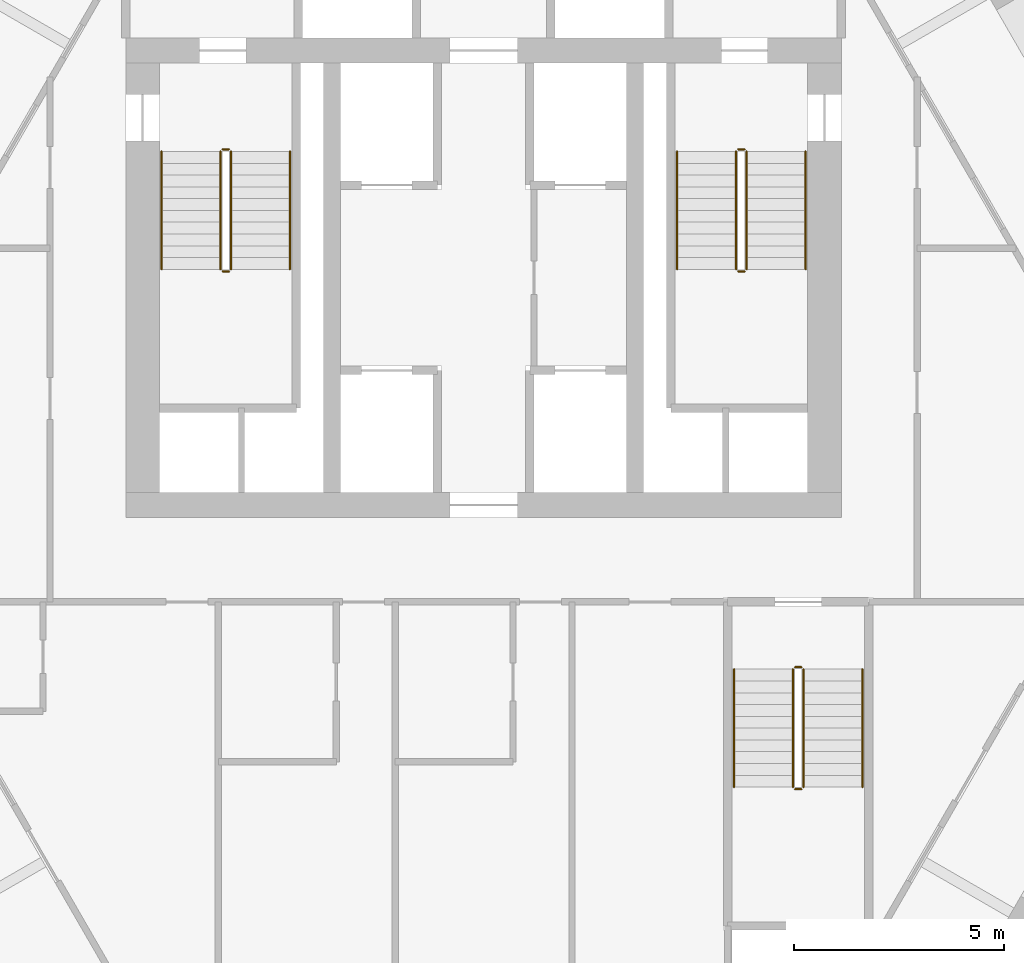
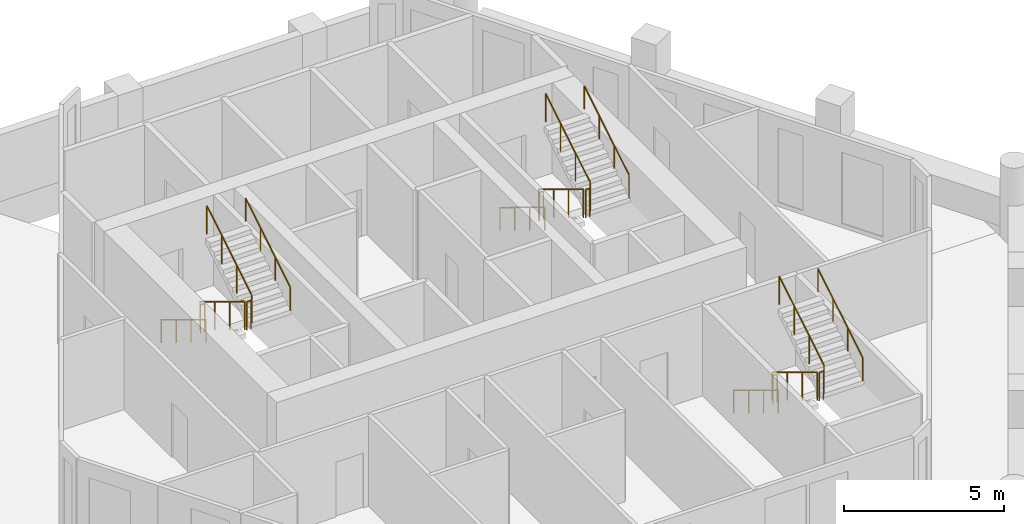
# One storey, part 6 of 6: 18 railings.
"""IFC4 building model written with IfcOpenShell, lengths in metres."""

from ifc_helpers import new_model, si_unit, direction, frame, origin, origin_2d, place, context, subcontext, project, spatial, circle, extrude, material, type_object, element, save


model = new_model("IFC4")

# Units and contexts
model_context = context("Model", 3, precision=1e-05, world=origin(), true_north=direction((0.0, 1.0)))
body_context = subcontext(model_context, "Body", "Model", "MODEL_VIEW")
ifc_project = project(units=[si_unit("LENGTHUNIT", "METRE"), si_unit("AREAUNIT", "SQUARE_METRE"), si_unit("VOLUMEUNIT", "CUBIC_METRE"), si_unit("PLANEANGLEUNIT", "RADIAN"), si_unit("MASSUNIT", "GRAM", prefix="KILO")], contexts=[model_context])

# Site, building, storey
site_placement = place(None, origin())
site = spatial("IfcSite", under=ifc_project, at=site_placement, CompositionType="ELEMENT")
building_placement = place(site_placement, origin())
building = spatial("IfcBuilding", under=site, at=building_placement, Name="Ostrander Bayou Hotel Tower", CompositionType="ELEMENT")
storey_placement = place(building_placement, frame((0.0, 0.0, 248.75)))
storey = spatial("IfcBuildingStorey", under=building, at=storey_placement, Name="L61", CompositionType="ELEMENT", Elevation=248.75)

# Railings
ifc_material_1 = material(Name="Steel ASTM A500 Gr C", Category="steel")
railing_type_1 = type_object("IfcRailingType", Name="GR1 stair guard 1100 mm steel", PredefinedType="GUARDRAIL", material=ifc_material_1)
railing_1_placement = place(storey_placement, frame((-6.25, 7.0, 0.17041015625)))
element("IfcRailing", 1, at=railing_1_placement, inside=storey, type_object=railing_type_1, Name="L61 STA stair guard 1", PredefinedType="GUARDRAIL", context=body_context, shape_type="SweptSolid", body=[
    extrude(circle(Radius=0.02392578125, at=origin_2d()), frame((0.0, 0.0, 1.076171875), z_axis=(0.0, -0.854169791009, 0.51999420009), x_axis=(1.0, 0.0, 0.0)), (0.0, 0.0, 1.0), 3.278076171875),
    extrude(circle(Radius=0.02099609375, at=origin_2d()), origin(), (0.0, 0.0, 1.0), 1.052001953125),
    extrude(circle(Radius=0.02099609375, at=origin_2d()), frame((0.0, -0.933349609375, 0.568115234375)), (0.0, 0.0, 1.0), 1.052001953125),
    extrude(circle(Radius=0.02099609375, at=origin_2d()), frame((0.0, -1.86669921875, 1.136474609375)), (0.0, 0.0, 1.0), 1.052001953125),
    extrude(circle(Radius=0.02099609375, at=origin_2d()), frame((0.0, -2.800048828125, 1.70458984375)), (0.0, 0.0, 1.0), 1.052001953125),
])
railing_2_placement = place(storey_placement, frame((-6.199951171875, 4.14990234375, 1.875)))
element("IfcRailing", 2, at=railing_2_placement, inside=storey, type_object=railing_type_1, Name="L61 STA stair guard 2", PredefinedType="GUARDRAIL", context=body_context, shape_type="SweptSolid", body=[
    extrude(circle(Radius=0.02392578125, at=origin_2d()), frame((0.0, 0.0, 1.076171875), z_axis=(1.0, 0.0, 0.0), x_axis=(0.0, 1.0, 0.0)), (0.0, 0.0, 1.0), 0.14990234375),
    extrude(circle(Radius=0.02099609375, at=origin_2d()), origin(), (0.0, 0.0, 1.0), 1.052001953125),
    extrude(circle(Radius=0.02099609375, at=origin_2d()), frame((0.14990234375, 0.0, 0.0)), (0.0, 0.0, 1.0), 1.052001953125),
])
railing_3_placement = place(storey_placement, frame((-6.0, 4.199951171875, 2.04541015625)))
element("IfcRailing", 3, at=railing_3_placement, inside=storey, type_object=railing_type_1, Name="L61 STA stair guard 3", PredefinedType="GUARDRAIL", context=body_context, shape_type="SweptSolid", body=[
    extrude(circle(Radius=0.02392578125, at=origin_2d()), frame((0.0, 0.0, 1.076171875), z_axis=(0.0, 0.854169791009, 0.51999420009), x_axis=(-1.0, 0.0, 0.0)), (0.0, 0.0, 1.0), 3.278076171875),
    extrude(circle(Radius=0.02099609375, at=origin_2d()), origin(), (0.0, 0.0, 1.0), 1.052001953125),
    extrude(circle(Radius=0.02099609375, at=origin_2d()), frame((0.0, 0.933349609375, 0.568115234375)), (0.0, 0.0, 1.0), 1.052001953125),
    extrude(circle(Radius=0.02099609375, at=origin_2d()), frame((0.0, 1.86669921875, 1.136474609375)), (0.0, 0.0, 1.0), 1.052001953125),
    extrude(circle(Radius=0.02099609375, at=origin_2d()), frame((0.0, 2.800048828125, 1.70458984375)), (0.0, 0.0, 1.0), 1.052001953125),
])
railing_4_placement = place(storey_placement, frame((-6.199951171875, 7.050048828125, 0.0)))
element("IfcRailing", 4, at=railing_4_placement, inside=storey, type_object=railing_type_1, Name="L61 STA stair guard 4", PredefinedType="GUARDRAIL", context=body_context, shape_type="SweptSolid", body=[
    extrude(circle(Radius=0.02392578125, at=origin_2d()), frame((0.0, 0.0, 1.076171875), z_axis=(1.0, 0.0, 0.0), x_axis=(0.0, 1.0, 0.0)), (0.0, 0.0, 1.0), 0.14990234375),
    extrude(circle(Radius=0.02099609375, at=origin_2d()), origin(), (0.0, 0.0, 1.0), 1.052001953125),
    extrude(circle(Radius=0.02099609375, at=origin_2d()), frame((0.14990234375, 0.0, 0.0)), (0.0, 0.0, 1.0), 1.052001953125),
])
railing_5_placement = place(storey_placement, frame((6.0, 7.0, 0.17041015625)))
element("IfcRailing", 5, at=railing_5_placement, inside=storey, type_object=railing_type_1, Name="L61 STB stair guard 1", PredefinedType="GUARDRAIL", context=body_context, shape_type="SweptSolid", body=[
    extrude(circle(Radius=0.02392578125, at=origin_2d()), frame((0.0, 0.0, 1.076171875), z_axis=(0.0, -0.854169791009, 0.51999420009), x_axis=(1.0, 0.0, 0.0)), (0.0, 0.0, 1.0), 3.278076171875),
    extrude(circle(Radius=0.02099609375, at=origin_2d()), origin(), (0.0, 0.0, 1.0), 1.052001953125),
    extrude(circle(Radius=0.02099609375, at=origin_2d()), frame((0.0, -0.933349609375, 0.568115234375)), (0.0, 0.0, 1.0), 1.052001953125),
    extrude(circle(Radius=0.02099609375, at=origin_2d()), frame((0.0, -1.86669921875, 1.136474609375)), (0.0, 0.0, 1.0), 1.052001953125),
    extrude(circle(Radius=0.02099609375, at=origin_2d()), frame((0.0, -2.800048828125, 1.70458984375)), (0.0, 0.0, 1.0), 1.052001953125),
])
railing_6_placement = place(storey_placement, frame((6.050048828125, 4.14990234375, 1.875)))
element("IfcRailing", 6, at=railing_6_placement, inside=storey, type_object=railing_type_1, Name="L61 STB stair guard 2", PredefinedType="GUARDRAIL", context=body_context, shape_type="SweptSolid", body=[
    extrude(circle(Radius=0.02392578125, at=origin_2d()), frame((0.0, 0.0, 1.076171875), z_axis=(1.0, 0.0, 0.0), x_axis=(0.0, 1.0, 0.0)), (0.0, 0.0, 1.0), 0.14990234375),
    extrude(circle(Radius=0.02099609375, at=origin_2d()), origin(), (0.0, 0.0, 1.0), 1.052001953125),
    extrude(circle(Radius=0.02099609375, at=origin_2d()), frame((0.14990234375, 0.0, 0.0)), (0.0, 0.0, 1.0), 1.052001953125),
])
railing_7_placement = place(storey_placement, frame((6.25, 4.199951171875, 2.04541015625)))
element("IfcRailing", 7, at=railing_7_placement, inside=storey, type_object=railing_type_1, Name="L61 STB stair guard 3", PredefinedType="GUARDRAIL", context=body_context, shape_type="SweptSolid", body=[
    extrude(circle(Radius=0.02392578125, at=origin_2d()), frame((0.0, 0.0, 1.076171875), z_axis=(0.0, 0.854169791009, 0.51999420009), x_axis=(-1.0, 0.0, 0.0)), (0.0, 0.0, 1.0), 3.278076171875),
    extrude(circle(Radius=0.02099609375, at=origin_2d()), origin(), (0.0, 0.0, 1.0), 1.052001953125),
    extrude(circle(Radius=0.02099609375, at=origin_2d()), frame((0.0, 0.933349609375, 0.568115234375)), (0.0, 0.0, 1.0), 1.052001953125),
    extrude(circle(Radius=0.02099609375, at=origin_2d()), frame((0.0, 1.86669921875, 1.136474609375)), (0.0, 0.0, 1.0), 1.052001953125),
    extrude(circle(Radius=0.02099609375, at=origin_2d()), frame((0.0, 2.800048828125, 1.70458984375)), (0.0, 0.0, 1.0), 1.052001953125),
])
railing_8_placement = place(storey_placement, frame((6.050048828125, 7.050048828125, 0.0)))
element("IfcRailing", 8, at=railing_8_placement, inside=storey, type_object=railing_type_1, Name="L61 STB stair guard 4", PredefinedType="GUARDRAIL", context=body_context, shape_type="SweptSolid", body=[
    extrude(circle(Radius=0.02392578125, at=origin_2d()), frame((0.0, 0.0, 1.076171875), z_axis=(1.0, 0.0, 0.0), x_axis=(0.0, 1.0, 0.0)), (0.0, 0.0, 1.0), 0.14990234375),
    extrude(circle(Radius=0.02099609375, at=origin_2d()), origin(), (0.0, 0.0, 1.0), 1.052001953125),
    extrude(circle(Radius=0.02099609375, at=origin_2d()), frame((0.14990234375, 0.0, 0.0)), (0.0, 0.0, 1.0), 1.052001953125),
])
railing_9_placement = place(storey_placement, frame((7.35009765625, -5.300048828125, 0.17041015625)))
element("IfcRailing", 9, at=railing_9_placement, inside=storey, type_object=railing_type_1, Name="L61 STC stair guard 1", PredefinedType="GUARDRAIL", context=body_context, shape_type="SweptSolid", body=[
    extrude(circle(Radius=0.02392578125, at=origin_2d()), frame((0.0, 0.0, 1.076171875), z_axis=(0.0, -0.854169791009, 0.51999420009), x_axis=(1.0, 0.0, 0.0)), (0.0, 0.0, 1.0), 3.278076171875),
    extrude(circle(Radius=0.02099609375, at=origin_2d()), origin(), (0.0, 0.0, 1.0), 1.052001953125),
    extrude(circle(Radius=0.02099609375, at=origin_2d()), frame((0.0, -0.933349609375, 0.568115234375)), (0.0, 0.0, 1.0), 1.052001953125),
    extrude(circle(Radius=0.02099609375, at=origin_2d()), frame((0.0, -1.86669921875, 1.136474609375)), (0.0, 0.0, 1.0), 1.052001953125),
    extrude(circle(Radius=0.02099609375, at=origin_2d()), frame((0.0, -2.800048828125, 1.70458984375)), (0.0, 0.0, 1.0), 1.052001953125),
])
railing_10_placement = place(storey_placement, frame((7.39990234375, -8.14990234375, 1.875)))
element("IfcRailing", 10, at=railing_10_placement, inside=storey, type_object=railing_type_1, Name="L61 STC stair guard 2", PredefinedType="GUARDRAIL", context=body_context, shape_type="SweptSolid", body=[
    extrude(circle(Radius=0.02392578125, at=origin_2d()), frame((0.0, 0.0, 1.076171875), z_axis=(1.0, 0.0, 0.0), x_axis=(0.0, 1.0, 0.0)), (0.0, 0.0, 1.0), 0.150146484375),
    extrude(circle(Radius=0.02099609375, at=origin_2d()), origin(), (0.0, 0.0, 1.0), 1.052001953125),
    extrude(circle(Radius=0.02099609375, at=origin_2d()), frame((0.150146484375, 0.0, 0.0)), (0.0, 0.0, 1.0), 1.052001953125),
])
railing_11_placement = place(storey_placement, frame((7.60009765625, -8.10009765625, 2.04541015625)))
element("IfcRailing", 11, at=railing_11_placement, inside=storey, type_object=railing_type_1, Name="L61 STC stair guard 3", PredefinedType="GUARDRAIL", context=body_context, shape_type="SweptSolid", body=[
    extrude(circle(Radius=0.02392578125, at=origin_2d()), frame((0.0, 0.0, 1.076171875), z_axis=(0.0, 0.854169791009, 0.51999420009), x_axis=(-1.0, 0.0, 0.0)), (0.0, 0.0, 1.0), 3.278076171875),
    extrude(circle(Radius=0.02099609375, at=origin_2d()), origin(), (0.0, 0.0, 1.0), 1.052001953125),
    extrude(circle(Radius=0.02099609375, at=origin_2d()), frame((0.0, 0.933349609375, 0.568115234375)), (0.0, 0.0, 1.0), 1.052001953125),
    extrude(circle(Radius=0.02099609375, at=origin_2d()), frame((0.0, 1.86669921875, 1.136474609375)), (0.0, 0.0, 1.0), 1.052001953125),
    extrude(circle(Radius=0.02099609375, at=origin_2d()), frame((0.0, 2.800048828125, 1.70458984375)), (0.0, 0.0, 1.0), 1.052001953125),
])
railing_12_placement = place(storey_placement, frame((7.39990234375, -5.25, 0.0)))
element("IfcRailing", 12, at=railing_12_placement, inside=storey, type_object=railing_type_1, Name="L61 STC stair guard 4", PredefinedType="GUARDRAIL", context=body_context, shape_type="SweptSolid", body=[
    extrude(circle(Radius=0.02392578125, at=origin_2d()), frame((0.0, 0.0, 1.076171875), z_axis=(1.0, 0.0, 0.0), x_axis=(0.0, 1.0, 0.0)), (0.0, 0.0, 1.0), 0.150146484375),
    extrude(circle(Radius=0.02099609375, at=origin_2d()), origin(), (0.0, 0.0, 1.0), 1.052001953125),
    extrude(circle(Radius=0.02099609375, at=origin_2d()), frame((0.150146484375, 0.0, 0.0)), (0.0, 0.0, 1.0), 1.052001953125),
])
ifc_material_2 = material(Name="Steel ASTM A500 Gr C", Category="steel")
railing_type_2 = type_object("IfcRailingType", Name="HR1 stair handrail 900 mm steel", PredefinedType="HANDRAIL", material=ifc_material_2)
railing_13_placement = place(storey_placement, frame((-7.64990234375, 7.0, 0.17041015625)))
element("IfcRailing", 13, at=railing_13_placement, inside=storey, type_object=railing_type_2, Name="L61 STA stair handrail 1", PredefinedType="HANDRAIL", context=body_context, shape_type="SweptSolid", body=[
    extrude(circle(Radius=0.02392578125, at=origin_2d()), frame((0.0, 0.0, 0.8759765625), z_axis=(0.0, -0.854169791009, 0.51999420009), x_axis=(1.0, 0.0, 0.0)), (0.0, 0.0, 1.0), 3.278076171875),
    extrude(circle(Radius=0.02099609375, at=origin_2d()), origin(), (0.0, 0.0, 1.0), 0.851806640625),
    extrude(circle(Radius=0.02099609375, at=origin_2d()), frame((0.0, -0.933349609375, 0.568115234375)), (0.0, 0.0, 1.0), 0.851806640625),
    extrude(circle(Radius=0.02099609375, at=origin_2d()), frame((0.0, -1.86669921875, 1.136474609375)), (0.0, 0.0, 1.0), 0.851806640625),
    extrude(circle(Radius=0.02099609375, at=origin_2d()), frame((0.0, -2.800048828125, 1.70458984375)), (0.0, 0.0, 1.0), 0.851806640625),
])
railing_14_placement = place(storey_placement, frame((-4.60009765625, 4.199951171875, 2.04541015625)))
element("IfcRailing", 14, at=railing_14_placement, inside=storey, type_object=railing_type_2, Name="L61 STA stair handrail 2", PredefinedType="HANDRAIL", context=body_context, shape_type="SweptSolid", body=[
    extrude(circle(Radius=0.02392578125, at=origin_2d()), frame((0.0, 0.0, 0.8759765625), z_axis=(0.0, 0.854169791009, 0.51999420009), x_axis=(-1.0, 0.0, 0.0)), (0.0, 0.0, 1.0), 3.278076171875),
    extrude(circle(Radius=0.02099609375, at=origin_2d()), origin(), (0.0, 0.0, 1.0), 0.851806640625),
    extrude(circle(Radius=0.02099609375, at=origin_2d()), frame((0.0, 0.933349609375, 0.568115234375)), (0.0, 0.0, 1.0), 0.851806640625),
    extrude(circle(Radius=0.02099609375, at=origin_2d()), frame((0.0, 1.86669921875, 1.136474609375)), (0.0, 0.0, 1.0), 0.851806640625),
    extrude(circle(Radius=0.02099609375, at=origin_2d()), frame((0.0, 2.800048828125, 1.70458984375)), (0.0, 0.0, 1.0), 0.851806640625),
])
railing_15_placement = place(storey_placement, frame((4.60009765625, 7.0, 0.17041015625)))
element("IfcRailing", 15, at=railing_15_placement, inside=storey, type_object=railing_type_2, Name="L61 STB stair handrail 1", PredefinedType="HANDRAIL", context=body_context, shape_type="SweptSolid", body=[
    extrude(circle(Radius=0.02392578125, at=origin_2d()), frame((0.0, 0.0, 0.8759765625), z_axis=(0.0, -0.854169791009, 0.51999420009), x_axis=(1.0, 0.0, 0.0)), (0.0, 0.0, 1.0), 3.278076171875),
    extrude(circle(Radius=0.02099609375, at=origin_2d()), origin(), (0.0, 0.0, 1.0), 0.851806640625),
    extrude(circle(Radius=0.02099609375, at=origin_2d()), frame((0.0, -0.933349609375, 0.568115234375)), (0.0, 0.0, 1.0), 0.851806640625),
    extrude(circle(Radius=0.02099609375, at=origin_2d()), frame((0.0, -1.86669921875, 1.136474609375)), (0.0, 0.0, 1.0), 0.851806640625),
    extrude(circle(Radius=0.02099609375, at=origin_2d()), frame((0.0, -2.800048828125, 1.70458984375)), (0.0, 0.0, 1.0), 0.851806640625),
])
railing_16_placement = place(storey_placement, frame((7.64990234375, 4.199951171875, 2.04541015625)))
element("IfcRailing", 16, at=railing_16_placement, inside=storey, type_object=railing_type_2, Name="L61 STB stair handrail 2", PredefinedType="HANDRAIL", context=body_context, shape_type="SweptSolid", body=[
    extrude(circle(Radius=0.02392578125, at=origin_2d()), frame((0.0, 0.0, 0.8759765625), z_axis=(0.0, 0.854169791009, 0.51999420009), x_axis=(-1.0, 0.0, 0.0)), (0.0, 0.0, 1.0), 3.278076171875),
    extrude(circle(Radius=0.02099609375, at=origin_2d()), origin(), (0.0, 0.0, 1.0), 0.851806640625),
    extrude(circle(Radius=0.02099609375, at=origin_2d()), frame((0.0, 0.933349609375, 0.568115234375)), (0.0, 0.0, 1.0), 0.851806640625),
    extrude(circle(Radius=0.02099609375, at=origin_2d()), frame((0.0, 1.86669921875, 1.136474609375)), (0.0, 0.0, 1.0), 0.851806640625),
    extrude(circle(Radius=0.02099609375, at=origin_2d()), frame((0.0, 2.800048828125, 1.70458984375)), (0.0, 0.0, 1.0), 0.851806640625),
])
railing_17_placement = place(storey_placement, frame((5.949951171875, -5.300048828125, 0.17041015625)))
element("IfcRailing", 17, at=railing_17_placement, inside=storey, type_object=railing_type_2, Name="L61 STC stair handrail 1", PredefinedType="HANDRAIL", context=body_context, shape_type="SweptSolid", body=[
    extrude(circle(Radius=0.02392578125, at=origin_2d()), frame((0.0, 0.0, 0.8759765625), z_axis=(0.0, -0.854169791009, 0.51999420009), x_axis=(1.0, 0.0, 0.0)), (0.0, 0.0, 1.0), 3.278076171875),
    extrude(circle(Radius=0.02099609375, at=origin_2d()), origin(), (0.0, 0.0, 1.0), 0.851806640625),
    extrude(circle(Radius=0.02099609375, at=origin_2d()), frame((0.0, -0.933349609375, 0.568115234375)), (0.0, 0.0, 1.0), 0.851806640625),
    extrude(circle(Radius=0.02099609375, at=origin_2d()), frame((0.0, -1.86669921875, 1.136474609375)), (0.0, 0.0, 1.0), 0.851806640625),
    extrude(circle(Radius=0.02099609375, at=origin_2d()), frame((0.0, -2.800048828125, 1.70458984375)), (0.0, 0.0, 1.0), 0.851806640625),
])
railing_18_placement = place(storey_placement, frame((9.0, -8.10009765625, 2.04541015625)))
element("IfcRailing", 18, at=railing_18_placement, inside=storey, type_object=railing_type_2, Name="L61 STC stair handrail 2", PredefinedType="HANDRAIL", context=body_context, shape_type="SweptSolid", body=[
    extrude(circle(Radius=0.02392578125, at=origin_2d()), frame((0.0, 0.0, 0.8759765625), z_axis=(0.0, 0.854169791009, 0.51999420009), x_axis=(-1.0, 0.0, 0.0)), (0.0, 0.0, 1.0), 3.278076171875),
    extrude(circle(Radius=0.02099609375, at=origin_2d()), origin(), (0.0, 0.0, 1.0), 0.851806640625),
    extrude(circle(Radius=0.02099609375, at=origin_2d()), frame((0.0, 0.933349609375, 0.568115234375)), (0.0, 0.0, 1.0), 0.851806640625),
    extrude(circle(Radius=0.02099609375, at=origin_2d()), frame((0.0, 1.86669921875, 1.136474609375)), (0.0, 0.0, 1.0), 0.851806640625),
    extrude(circle(Radius=0.02099609375, at=origin_2d()), frame((0.0, 2.800048828125, 1.70458984375)), (0.0, 0.0, 1.0), 0.851806640625),
])

save(model, "model.ifc")
